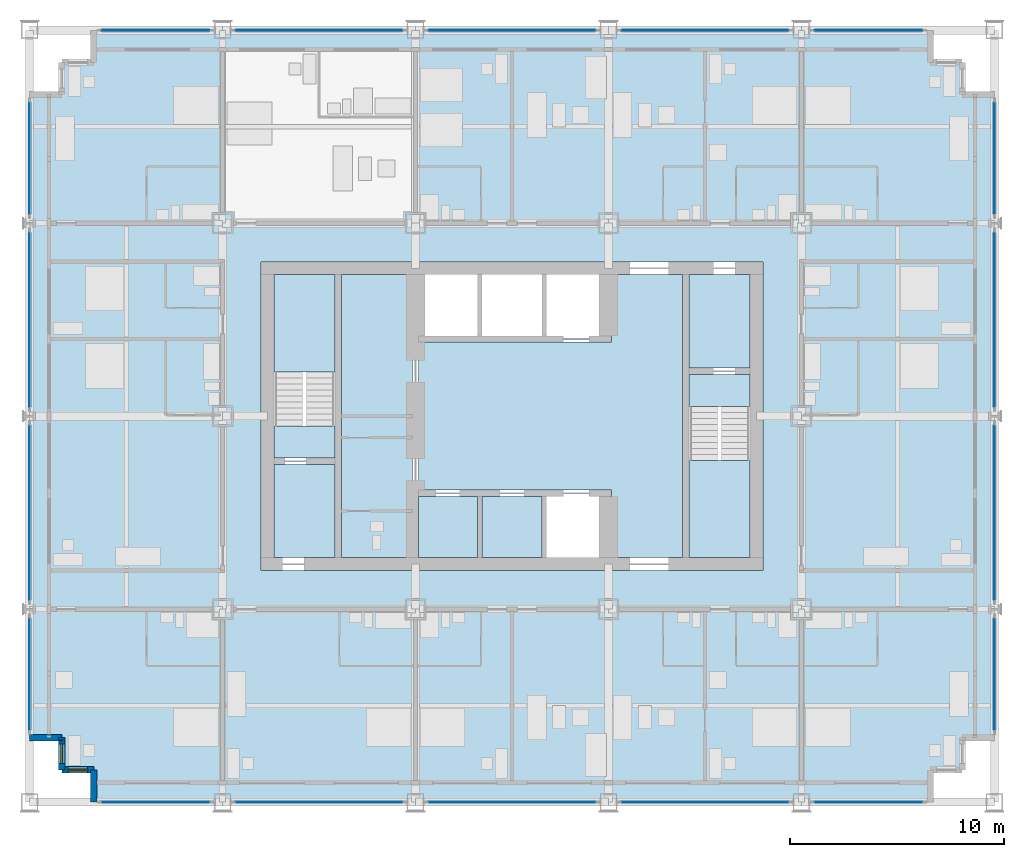
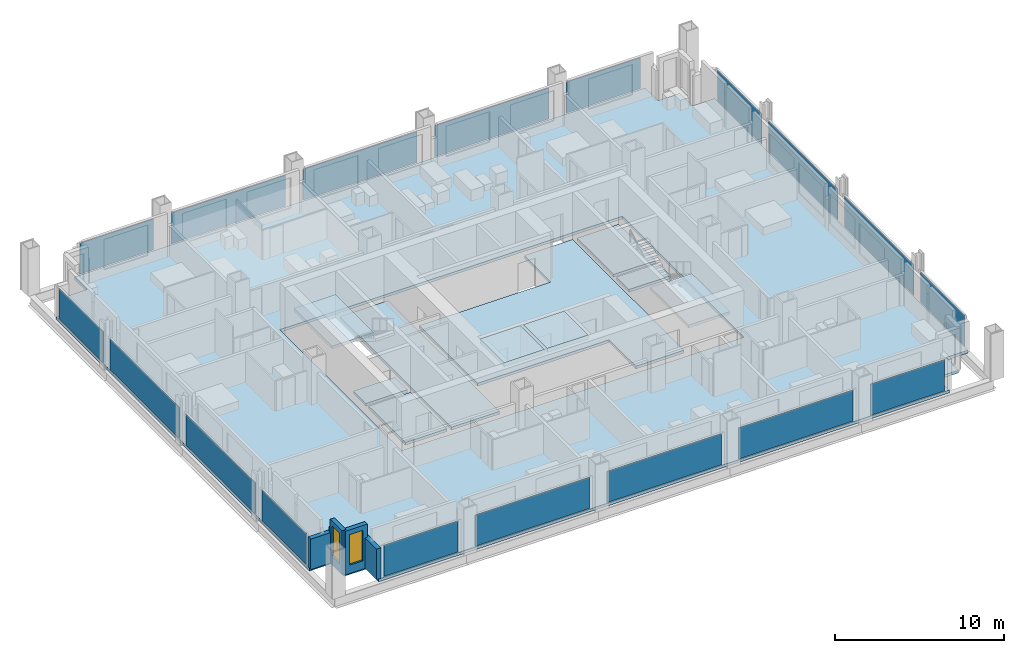
# One storey, part 8 of 17: 18 plates, 11 slabs, 5 walls, 2 windows, 2 openings, 20 elements without a shape of their own.
"""IFC4 building model written with IfcOpenShell, lengths in metres."""

from ifc_helpers import new_model, si_unit, direction, frame, frame_2d, origin, origin_2d, place, context, subcontext, project, spatial, polyline, rectangle, outline, extrude, material, layer, layer_set, type_object, element, fill, aggregate, save


model = new_model("IFC4")

# Units and contexts
model_context = context("Model", 3, precision=1e-05, world=origin(), true_north=direction((0.0, 1.0)))
body_context = subcontext(model_context, "Body", "Model", "MODEL_VIEW")
ifc_project = project(units=[si_unit("LENGTHUNIT", "METRE"), si_unit("AREAUNIT", "SQUARE_METRE"), si_unit("VOLUMEUNIT", "CUBIC_METRE"), si_unit("PLANEANGLEUNIT", "RADIAN"), si_unit("MASSUNIT", "GRAM", prefix="KILO")], contexts=[model_context])

# Site, building, storey
site_placement = place(None, origin())
site = spatial("IfcSite", under=ifc_project, at=site_placement, CompositionType="ELEMENT")
building_placement = place(site_placement, origin())
building = spatial("IfcBuilding", under=site, at=building_placement, Name="Loomwork Tower", CompositionType="ELEMENT")
storey_placement = place(building_placement, frame((0.0, 0.0, 152.0)))
storey = spatial("IfcBuildingStorey", under=building, at=storey_placement, Name="L41", CompositionType="ELEMENT", Elevation=152.0)

# Slabs
ifc_material_1 = material(Name="Concrete 5000 psi (34 MPa) on composite metal deck", Category="concrete")
ifc_layer_1 = layer(ifc_material_1, 0.199951171875)
ifc_layer_set_1 = layer_set([ifc_layer_1], Name="Floor slab 200")
slab_type_1 = type_object("IfcSlabType", Name="Floor slab 200", PredefinedType="FLOOR", material=ifc_layer_set_1)
slab_1_placement = place(storey_placement, frame((0.0, 0.0, -0.199951171875)))
element("IfcSlab", 1, at=slab_1_placement, inside=storey, type_object=slab_type_1, Name="Floor slab L41", PredefinedType="FLOOR", context=body_context, shape_type="SweptSolid", body=[
    extrude(outline(polyline([(3.0, 1.5), (1.5, 1.5), (1.5, 3.0), (0.0, 3.0), (0.0, 33.0), (1.5, 33.0), (1.5, 34.5), (3.0, 34.5), (3.0, 36.0), (42.0, 36.0), (42.0, 34.5), (43.5, 34.5), (43.5, 33.0), (45.0, 33.0), (45.0, 3.0), (43.5, 3.0), (43.5, 1.5), (42.0, 1.5), (42.0, 0.0), (3.0, 0.0), (3.0, 1.5)]), holes=[polyline([(10.800048828125, 11.39990234375), (10.800048828125, 11.39990234375), (10.800048828125, 10.800048828125), (34.199951171875, 10.800048828125), (34.199951171875, 11.39990234375), (34.199951171875, 11.39990234375), (34.199951171875, 24.60009765625), (34.199951171875, 25.199951171875), (10.800048828125, 25.199951171875), (10.800048828125, 24.60009765625), (10.800048828125, 11.39990234375)])]), origin(), (0.0, 0.0, 1.0), 0.199951171875),
])
slab_2_placement = place(storey_placement, frame((0.0, 0.0, -0.199951171875)))
element("IfcSlab", 2, at=slab_2_placement, inside=storey, type_object=slab_type_1, Name="Floor slab L41", PredefinedType="FLOOR", context=body_context, shape_type="SweptSolid", body=[
    extrude(outline(polyline([(30.449951171875, 24.60009765625), (30.449951171875, 11.39990234375), (27.14990234375, 11.39990234375), (27.14990234375, 14.25), (27.14990234375, 14.550048828125), (18.14990234375, 14.550048828125), (18.14990234375, 21.449951171875), (27.14990234375, 21.449951171875), (27.14990234375, 21.75), (27.14990234375, 24.60009765625), (30.449951171875, 24.60009765625)])), origin(), (0.0, 0.0, 1.0), 0.199951171875),
])
slab_3_placement = place(storey_placement, frame((0.0, 0.0, -0.199951171875)))
element("IfcSlab", 3, at=slab_3_placement, inside=storey, type_object=slab_type_1, Name="Floor slab L41", PredefinedType="FLOOR", context=body_context, shape_type="SweptSolid", body=[
    extrude(outline(polyline([(14.550048828125, 11.39990234375), (14.550048828125, 24.60009765625), (17.85009765625, 24.60009765625), (17.85009765625, 11.39990234375), (14.550048828125, 11.39990234375)])), origin(), (0.0, 0.0, 1.0), 0.199951171875),
])
slab_4_placement = place(storey_placement, frame((0.0, 0.0, -0.199951171875)))
element("IfcSlab", 4, at=slab_4_placement, inside=storey, type_object=slab_type_1, Name="Floor slab L41", PredefinedType="FLOOR", context=body_context, shape_type="SweptSolid", body=[
    extrude(outline(polyline([(33.60009765625, 20.25), (30.75, 20.25), (30.75, 24.60009765625), (33.60009765625, 24.60009765625), (33.60009765625, 20.25)])), origin(), (0.0, 0.0, 1.0), 0.199951171875),
])
slab_5_placement = place(storey_placement, frame((0.0, 0.0, -0.199951171875)))
element("IfcSlab", 5, at=slab_5_placement, inside=storey, type_object=slab_type_1, Name="Floor slab L41", PredefinedType="FLOOR", context=body_context, shape_type="SweptSolid", body=[
    extrude(outline(polyline([(14.25, 15.75), (14.25, 11.39990234375), (11.39990234375, 11.39990234375), (11.39990234375, 15.75), (14.25, 15.75)])), origin(), (0.0, 0.0, 1.0), 0.199951171875),
])
ifc_material_2 = material(Name="Concrete 5000 psi (34 MPa) on composite metal deck", Category="concrete")
ifc_layer_2 = layer(ifc_material_2, 0.300048828125)
ifc_layer_set_2 = layer_set([ifc_layer_2], Name="Lift separation slab 300")
slab_type_2 = type_object("IfcSlabType", Name="Lift separation slab 300", PredefinedType="FLOOR", material=ifc_layer_set_2)
slab_6_placement = place(storey_placement, frame((0.0, 0.0, 3.10009765625)))
element("IfcSlab", 6, at=slab_6_placement, inside=storey, type_object=slab_type_2, Name="Lift separation slab under LC1 L41", PredefinedType="FLOOR", context=body_context, shape_type="SweptSolid", body=[
    extrude(outline(polyline([(18.14990234375, 11.39990234375), (20.89990234375, 11.39990234375), (20.89990234375, 14.25), (18.14990234375, 14.25), (18.14990234375, 11.39990234375)])), origin(), (0.0, 0.0, 1.0), 0.2998046875),
])
slab_7_placement = place(storey_placement, frame((0.0, 0.0, 3.10009765625)))
element("IfcSlab", 7, at=slab_7_placement, inside=storey, type_object=slab_type_2, Name="Lift separation slab over LB2 L41", PredefinedType="FLOOR", context=body_context, shape_type="SweptSolid", body=[
    extrude(outline(polyline([(21.10009765625, 11.39990234375), (23.89990234375, 11.39990234375), (23.89990234375, 14.25), (21.10009765625, 14.25), (21.10009765625, 11.39990234375)])), origin(), (0.0, 0.0, 1.0), 0.2998046875),
])

# Curtain wall, plate
ifc_material_3 = material(Name="Aluminium curtain wall frame", Category="aluminium")
curtain_wall_type = type_object("IfcCurtainWallType", Name="Outer skin glazing hotel", PredefinedType="NOTDEFINED", material=ifc_material_3)
curtain_wall_1_placement = place(storey_placement, origin())
curtain_wall_1 = element("IfcCurtainWall", 8, at=curtain_wall_1_placement, inside=storey, type_object=curtain_wall_type, Name="Outer skin glazing hotel cw/S-0", PredefinedType="NOTDEFINED")
ifc_material_4 = material(Name="Clear laminated glass", Category="glass")
ifc_layer_3 = layer(ifc_material_4, 0.02392578125)
ifc_layer_set_3 = layer_set([ifc_layer_3], Name="Outer skin glazing hotel panel")
plate_type = type_object("IfcPlateType", Name="Outer skin glazing hotel panel", PredefinedType="CURTAIN_PANEL", material=ifc_layer_set_3)
plate_1_placement = place(storey_placement, frame((5.875, 0.0, 0.06494140625), z_axis=(0.0, 0.0, 1.0), x_axis=(1.0, 0.0, 0.0)))
plate_1 = element("IfcPlate", 9, at=plate_1_placement, type_object=plate_type, Name="CW1 panel 1.1", PredefinedType="CURTAIN_PANEL", context=body_context, shape_type="SweptSolid", body=[
    extrude(rectangle(XDim=5.050048828125, YDim=0.02392578125, at=origin_2d()), origin(), (0.0, 0.0, 1.0), 2.240234375),
])
aggregate(curtain_wall_1, [plate_1])

curtain_wall_2_placement = place(storey_placement, origin())
curtain_wall_2 = element("IfcCurtainWall", 10, at=curtain_wall_2_placement, inside=storey, type_object=curtain_wall_type, Name="Outer skin glazing hotel cw/S-9", PredefinedType="NOTDEFINED")
plate_2_placement = place(storey_placement, frame((13.5, 0.0, 0.06494140625), z_axis=(0.0, 0.0, 1.0), x_axis=(1.0, 0.0, 0.0)))
plate_2 = element("IfcPlate", 11, at=plate_2_placement, type_object=plate_type, Name="CW1 panel 1.1", PredefinedType="CURTAIN_PANEL", context=body_context, shape_type="SweptSolid", body=[
    extrude(rectangle(XDim=7.800048828125, YDim=0.02392578125, at=origin_2d()), origin(), (0.0, 0.0, 1.0), 2.240234375),
])
aggregate(curtain_wall_2, [plate_2])

curtain_wall_3_placement = place(storey_placement, origin())
curtain_wall_3 = element("IfcCurtainWall", 12, at=curtain_wall_3_placement, inside=storey, type_object=curtain_wall_type, Name="Outer skin glazing hotel cw/S-18", PredefinedType="NOTDEFINED")
plate_3_placement = place(storey_placement, frame((22.5, 0.0, 0.06494140625), z_axis=(0.0, 0.0, 1.0), x_axis=(1.0, 0.0, 0.0)))
plate_3 = element("IfcPlate", 13, at=plate_3_placement, type_object=plate_type, Name="CW1 panel 1.1", PredefinedType="CURTAIN_PANEL", context=body_context, shape_type="SweptSolid", body=[
    extrude(rectangle(XDim=7.800048828125, YDim=0.02392578125, at=origin_2d()), origin(), (0.0, 0.0, 1.0), 2.240234375),
])
aggregate(curtain_wall_3, [plate_3])

curtain_wall_4_placement = place(storey_placement, origin())
curtain_wall_4 = element("IfcCurtainWall", 14, at=curtain_wall_4_placement, inside=storey, type_object=curtain_wall_type, Name="Outer skin glazing hotel cw/S-27", PredefinedType="NOTDEFINED")
plate_4_placement = place(storey_placement, frame((31.5, 0.0, 0.06494140625), z_axis=(0.0, 0.0, 1.0), x_axis=(1.0, 0.0, 0.0)))
plate_4 = element("IfcPlate", 15, at=plate_4_placement, type_object=plate_type, Name="CW1 panel 1.1", PredefinedType="CURTAIN_PANEL", context=body_context, shape_type="SweptSolid", body=[
    extrude(rectangle(XDim=7.800048828125, YDim=0.02392578125, at=origin_2d()), origin(), (0.0, 0.0, 1.0), 2.240234375),
])
aggregate(curtain_wall_4, [plate_4])

curtain_wall_5_placement = place(storey_placement, origin())
curtain_wall_5 = element("IfcCurtainWall", 16, at=curtain_wall_5_placement, inside=storey, type_object=curtain_wall_type, Name="Outer skin glazing hotel cw/S-36", PredefinedType="NOTDEFINED")
plate_5_placement = place(storey_placement, frame((39.125, 0.0, 0.06494140625), z_axis=(0.0, 0.0, 1.0), x_axis=(1.0, 0.0, 0.0)))
plate_5 = element("IfcPlate", 17, at=plate_5_placement, type_object=plate_type, Name="CW1 panel 1.1", PredefinedType="CURTAIN_PANEL", context=body_context, shape_type="SweptSolid", body=[
    extrude(rectangle(XDim=5.050048828125, YDim=0.02392578125, at=origin_2d()), origin(), (0.0, 0.0, 1.0), 2.240234375),
])
aggregate(curtain_wall_5, [plate_5])

curtain_wall_6_placement = place(storey_placement, origin())
curtain_wall_6 = element("IfcCurtainWall", 18, at=curtain_wall_6_placement, inside=storey, type_object=curtain_wall_type, Name="Outer skin glazing hotel cw/N-0", PredefinedType="NOTDEFINED")
plate_6_placement = place(storey_placement, frame((5.875, 36.0, 0.06494140625), z_axis=(0.0, 0.0, 1.0), x_axis=(-1.0, 0.0, 0.0)))
plate_6 = element("IfcPlate", 19, at=plate_6_placement, type_object=plate_type, Name="CW1 panel 1.1", PredefinedType="CURTAIN_PANEL", context=body_context, shape_type="SweptSolid", body=[
    extrude(rectangle(XDim=5.050048828125, YDim=0.02392578125, at=origin_2d()), origin(), (0.0, 0.0, 1.0), 2.240234375),
])
aggregate(curtain_wall_6, [plate_6])

curtain_wall_7_placement = place(storey_placement, origin())
curtain_wall_7 = element("IfcCurtainWall", 20, at=curtain_wall_7_placement, inside=storey, type_object=curtain_wall_type, Name="Outer skin glazing hotel cw/N-9", PredefinedType="NOTDEFINED")
plate_7_placement = place(storey_placement, frame((13.5, 36.0, 0.06494140625), z_axis=(0.0, 0.0, 1.0), x_axis=(-1.0, 0.0, 0.0)))
plate_7 = element("IfcPlate", 21, at=plate_7_placement, type_object=plate_type, Name="CW1 panel 1.1", PredefinedType="CURTAIN_PANEL", context=body_context, shape_type="SweptSolid", body=[
    extrude(rectangle(XDim=7.800048828125, YDim=0.02392578125, at=origin_2d()), origin(), (0.0, 0.0, 1.0), 2.240234375),
])
aggregate(curtain_wall_7, [plate_7])

curtain_wall_8_placement = place(storey_placement, origin())
curtain_wall_8 = element("IfcCurtainWall", 22, at=curtain_wall_8_placement, inside=storey, type_object=curtain_wall_type, Name="Outer skin glazing hotel cw/N-18", PredefinedType="NOTDEFINED")
plate_8_placement = place(storey_placement, frame((22.5, 36.0, 0.06494140625), z_axis=(0.0, 0.0, 1.0), x_axis=(-1.0, 0.0, 0.0)))
plate_8 = element("IfcPlate", 23, at=plate_8_placement, type_object=plate_type, Name="CW1 panel 1.1", PredefinedType="CURTAIN_PANEL", context=body_context, shape_type="SweptSolid", body=[
    extrude(rectangle(XDim=7.800048828125, YDim=0.02392578125, at=origin_2d()), origin(), (0.0, 0.0, 1.0), 2.240234375),
])
aggregate(curtain_wall_8, [plate_8])

curtain_wall_9_placement = place(storey_placement, origin())
curtain_wall_9 = element("IfcCurtainWall", 24, at=curtain_wall_9_placement, inside=storey, type_object=curtain_wall_type, Name="Outer skin glazing hotel cw/N-27", PredefinedType="NOTDEFINED")
plate_9_placement = place(storey_placement, frame((31.5, 36.0, 0.06494140625), z_axis=(0.0, 0.0, 1.0), x_axis=(-1.0, 0.0, 0.0)))
plate_9 = element("IfcPlate", 25, at=plate_9_placement, type_object=plate_type, Name="CW1 panel 1.1", PredefinedType="CURTAIN_PANEL", context=body_context, shape_type="SweptSolid", body=[
    extrude(rectangle(XDim=7.800048828125, YDim=0.02392578125, at=origin_2d()), origin(), (0.0, 0.0, 1.0), 2.240234375),
])
aggregate(curtain_wall_9, [plate_9])

curtain_wall_10_placement = place(storey_placement, origin())
curtain_wall_10 = element("IfcCurtainWall", 26, at=curtain_wall_10_placement, inside=storey, type_object=curtain_wall_type, Name="Outer skin glazing hotel cw/N-36", PredefinedType="NOTDEFINED")
plate_10_placement = place(storey_placement, frame((39.125, 36.0, 0.06494140625), z_axis=(0.0, 0.0, 1.0), x_axis=(-1.0, 0.0, 0.0)))
plate_10 = element("IfcPlate", 27, at=plate_10_placement, type_object=plate_type, Name="CW1 panel 1.1", PredefinedType="CURTAIN_PANEL", context=body_context, shape_type="SweptSolid", body=[
    extrude(rectangle(XDim=5.050048828125, YDim=0.02392578125, at=origin_2d()), origin(), (0.0, 0.0, 1.0), 2.240234375),
])
aggregate(curtain_wall_10, [plate_10])

curtain_wall_11_placement = place(storey_placement, origin())
curtain_wall_11 = element("IfcCurtainWall", 28, at=curtain_wall_11_placement, inside=storey, type_object=curtain_wall_type, Name="Outer skin glazing hotel cw/W-0", PredefinedType="NOTDEFINED")
plate_11_placement = place(storey_placement, frame((0.0, 5.964599609375, 0.06494140625), z_axis=(0.0, 0.0, 1.0), x_axis=(0.0, -1.0, 0.0)))
plate_11 = element("IfcPlate", 29, at=plate_11_placement, type_object=plate_type, Name="CW1 panel 1.1", PredefinedType="CURTAIN_PANEL", context=body_context, shape_type="SweptSolid", body=[
    extrude(rectangle(XDim=5.22900390625, YDim=0.02392578125, at=origin_2d()), origin(), (0.0, 0.0, 1.0), 2.240234375),
])
aggregate(curtain_wall_11, [plate_11])

curtain_wall_12_placement = place(storey_placement, origin())
curtain_wall_12 = element("IfcCurtainWall", 30, at=curtain_wall_12_placement, inside=storey, type_object=curtain_wall_type, Name="Outer skin glazing hotel cw/W-9", PredefinedType="NOTDEFINED")
plate_12_placement = place(storey_placement, frame((0.0, 13.5, 0.06494140625), z_axis=(0.0, 0.0, 1.0), x_axis=(0.0, -1.0, 0.0)))
plate_12 = element("IfcPlate", 31, at=plate_12_placement, type_object=plate_type, Name="CW1 panel 1.1", PredefinedType="CURTAIN_PANEL", context=body_context, shape_type="SweptSolid", body=[
    extrude(rectangle(XDim=8.157958984375, YDim=0.02392578125, at=origin_2d()), origin(), (0.0, 0.0, 1.0), 2.240234375),
])
aggregate(curtain_wall_12, [plate_12])

curtain_wall_13_placement = place(storey_placement, origin())
curtain_wall_13 = element("IfcCurtainWall", 32, at=curtain_wall_13_placement, inside=storey, type_object=curtain_wall_type, Name="Outer skin glazing hotel cw/W-18", PredefinedType="NOTDEFINED")
plate_13_placement = place(storey_placement, frame((0.0, 22.5, 0.06494140625), z_axis=(0.0, 0.0, 1.0), x_axis=(0.0, -1.0, 0.0)))
plate_13 = element("IfcPlate", 33, at=plate_13_placement, type_object=plate_type, Name="CW1 panel 1.1", PredefinedType="CURTAIN_PANEL", context=body_context, shape_type="SweptSolid", body=[
    extrude(rectangle(XDim=8.157958984375, YDim=0.02392578125, at=origin_2d()), origin(), (0.0, 0.0, 1.0), 2.240234375),
])
aggregate(curtain_wall_13, [plate_13])

curtain_wall_14_placement = place(storey_placement, origin())
curtain_wall_14 = element("IfcCurtainWall", 34, at=curtain_wall_14_placement, inside=storey, type_object=curtain_wall_type, Name="Outer skin glazing hotel cw/W-27", PredefinedType="NOTDEFINED")
plate_14_placement = place(storey_placement, frame((0.0, 30.035400390625, 0.06494140625), z_axis=(0.0, 0.0, 1.0), x_axis=(0.0, -1.0, 0.0)))
plate_14 = element("IfcPlate", 35, at=plate_14_placement, type_object=plate_type, Name="CW1 panel 1.1", PredefinedType="CURTAIN_PANEL", context=body_context, shape_type="SweptSolid", body=[
    extrude(rectangle(XDim=5.22900390625, YDim=0.02392578125, at=origin_2d()), origin(), (0.0, 0.0, 1.0), 2.240234375),
])
aggregate(curtain_wall_14, [plate_14])

curtain_wall_15_placement = place(storey_placement, origin())
curtain_wall_15 = element("IfcCurtainWall", 36, at=curtain_wall_15_placement, inside=storey, type_object=curtain_wall_type, Name="Outer skin glazing hotel cw/E-0", PredefinedType="NOTDEFINED")
plate_15_placement = place(storey_placement, frame((45.0, 5.964599609375, 0.06494140625), z_axis=(0.0, 0.0, 1.0), x_axis=(0.0, 1.0, 0.0)))
plate_15 = element("IfcPlate", 37, at=plate_15_placement, type_object=plate_type, Name="CW1 panel 1.1", PredefinedType="CURTAIN_PANEL", context=body_context, shape_type="SweptSolid", body=[
    extrude(rectangle(XDim=5.22900390625, YDim=0.02392578125, at=origin_2d()), origin(), (0.0, 0.0, 1.0), 2.240234375),
])
aggregate(curtain_wall_15, [plate_15])

curtain_wall_16_placement = place(storey_placement, origin())
curtain_wall_16 = element("IfcCurtainWall", 38, at=curtain_wall_16_placement, inside=storey, type_object=curtain_wall_type, Name="Outer skin glazing hotel cw/E-9", PredefinedType="NOTDEFINED")
plate_16_placement = place(storey_placement, frame((45.0, 13.5, 0.06494140625), z_axis=(0.0, 0.0, 1.0), x_axis=(0.0, 1.0, 0.0)))
plate_16 = element("IfcPlate", 39, at=plate_16_placement, type_object=plate_type, Name="CW1 panel 1.1", PredefinedType="CURTAIN_PANEL", context=body_context, shape_type="SweptSolid", body=[
    extrude(rectangle(XDim=8.157958984375, YDim=0.02392578125, at=origin_2d()), origin(), (0.0, 0.0, 1.0), 2.240234375),
])
aggregate(curtain_wall_16, [plate_16])

curtain_wall_17_placement = place(storey_placement, origin())
curtain_wall_17 = element("IfcCurtainWall", 40, at=curtain_wall_17_placement, inside=storey, type_object=curtain_wall_type, Name="Outer skin glazing hotel cw/E-18", PredefinedType="NOTDEFINED")
plate_17_placement = place(storey_placement, frame((45.0, 22.5, 0.06494140625), z_axis=(0.0, 0.0, 1.0), x_axis=(0.0, 1.0, 0.0)))
plate_17 = element("IfcPlate", 41, at=plate_17_placement, type_object=plate_type, Name="CW1 panel 1.1", PredefinedType="CURTAIN_PANEL", context=body_context, shape_type="SweptSolid", body=[
    extrude(rectangle(XDim=8.157958984375, YDim=0.02392578125, at=origin_2d()), origin(), (0.0, 0.0, 1.0), 2.240234375),
])
aggregate(curtain_wall_17, [plate_17])

curtain_wall_18_placement = place(storey_placement, origin())
curtain_wall_18 = element("IfcCurtainWall", 42, at=curtain_wall_18_placement, inside=storey, type_object=curtain_wall_type, Name="Outer skin glazing hotel cw/E-27", PredefinedType="NOTDEFINED")
plate_18_placement = place(storey_placement, frame((45.0, 30.035400390625, 0.06494140625), z_axis=(0.0, 0.0, 1.0), x_axis=(0.0, 1.0, 0.0)))
plate_18 = element("IfcPlate", 43, at=plate_18_placement, type_object=plate_type, Name="CW1 panel 1.1", PredefinedType="CURTAIN_PANEL", context=body_context, shape_type="SweptSolid", body=[
    extrude(rectangle(XDim=5.22900390625, YDim=0.02392578125, at=origin_2d()), origin(), (0.0, 0.0, 1.0), 2.240234375),
])
aggregate(curtain_wall_18, [plate_18])

# Stair, slabs
ifc_material_5 = material(Name="Concrete 5000 psi (34 MPa) precast stair", Category="concrete")
stair_type_1 = type_object("IfcStairType", Name="Stair ST-A 20 risers 2850 wide", PredefinedType="HALF_TURN_STAIR", material=ifc_material_5)
stair_1_placement = place(storey_placement, origin())
stair_1 = element("IfcStair", 44, at=stair_1_placement, inside=storey, type_object=stair_type_1, Name="Stair A L41", PredefinedType="HALF_TURN_STAIR")
ifc_material_6 = material(Name="Concrete 5000 psi (34 MPa)", Category="concrete")
ifc_layer_4 = layer(ifc_material_6, 0.199951171875)
ifc_layer_set_4 = layer_set([ifc_layer_4], Name="Stair landing 200")
slab_type_3 = type_object("IfcSlabType", Name="Stair landing 200", PredefinedType="LANDING", material=ifc_layer_set_4)
slab_8_placement = place(storey_placement, frame((0.0, 0.0, -0.199951171875)))
slab_8 = element("IfcSlab", 45, at=slab_8_placement, type_object=slab_type_3, Name="ST-A landing 1", PredefinedType="LANDING", context=body_context, shape_type="SweptSolid", body=[
    extrude(outline(polyline([(11.39990234375, 16.050048828125), (14.25, 16.050048828125), (14.25, 17.550048828125), (11.39990234375, 17.550048828125), (11.39990234375, 16.050048828125)])), origin(), (0.0, 0.0, 1.0), 0.199951171875),
])
slab_9_placement = place(storey_placement, frame((0.0, 0.0, 1.5)))
slab_9 = element("IfcSlab", 46, at=slab_9_placement, type_object=slab_type_3, Name="ST-A landing 2", PredefinedType="LANDING", context=body_context, shape_type="SweptSolid", body=[
    extrude(outline(polyline([(11.39990234375, 20.070068359375), (14.25, 20.070068359375), (14.25, 24.60009765625), (11.39990234375, 24.60009765625), (11.39990234375, 20.070068359375)])), origin(), (0.0, 0.0, 1.0), 0.199951171875),
])
aggregate(stair_1, [slab_8, slab_9])

ifc_material_7 = material(Name="Concrete 5000 psi (34 MPa) precast stair", Category="concrete")
stair_type_2 = type_object("IfcStairType", Name="Stair ST-B 20 risers 2850 wide", PredefinedType="HALF_TURN_STAIR", material=ifc_material_7)
stair_2_placement = place(storey_placement, origin())
stair_2 = element("IfcStair", 47, at=stair_2_placement, inside=storey, type_object=stair_type_2, Name="Stair B L41", PredefinedType="HALF_TURN_STAIR")
slab_10_placement = place(storey_placement, frame((0.0, 0.0, -0.199951171875)))
slab_10 = element("IfcSlab", 48, at=slab_10_placement, type_object=slab_type_3, Name="ST-B landing 1", PredefinedType="LANDING", context=body_context, shape_type="SweptSolid", body=[
    extrude(outline(polyline([(30.75, 18.449951171875), (33.60009765625, 18.449951171875), (33.60009765625, 19.949951171875), (30.75, 19.949951171875), (30.75, 18.449951171875)])), origin(), (0.0, 0.0, 1.0), 0.199951171875),
])
slab_11_placement = place(storey_placement, frame((0.0, 0.0, 1.5)))
slab_11 = element("IfcSlab", 49, at=slab_11_placement, type_object=slab_type_3, Name="ST-B landing 2", PredefinedType="LANDING", context=body_context, shape_type="SweptSolid", body=[
    extrude(outline(polyline([(30.75, 11.39990234375), (33.60009765625, 11.39990234375), (33.60009765625, 15.929931640625), (30.75, 15.929931640625), (30.75, 11.39990234375)])), origin(), (0.0, 0.0, 1.0), 0.199951171875),
])
aggregate(stair_2, [slab_10, slab_11])

# Walls
ifc_material_8 = material(Name="Limestone on concrete masonry", Category="masonry")
ifc_layer_5 = layer(ifc_material_8, 0.300048828125)
ifc_layer_set_5 = layer_set([ifc_layer_5], Name="Limestone corner wall 300")
wall_type = type_object("IfcWallType", Name="Limestone corner wall 300", PredefinedType="SOLIDWALL", material=ifc_layer_set_5)
wall_1_placement = place(storey_placement, frame((0.0, 3.0, 0.0), z_axis=(0.0, 0.0, 1.0), x_axis=(1.0, 0.0, 0.0)))
element("IfcWall", 50, at=wall_1_placement, inside=storey, type_object=wall_type, Name="Stone corner wall SW 1", PredefinedType="SOLIDWALL", context=body_context, shape_type="SweptSolid", body=[
    extrude(rectangle(XDim=1.5, YDim=0.300048828125, at=frame_2d((0.75, 0.0))), origin(), (0.0, 0.0, 1.0), 2.201904296875),
])
wall_2_placement = place(storey_placement, frame((1.5, 3.0, 0.0), z_axis=(0.0, 0.0, 1.0), x_axis=(0.0, -1.0, 0.0)))
element("IfcWall", 51, at=wall_2_placement, inside=storey, type_object=wall_type, Name="Stone corner wall SW 2", PredefinedType="SOLIDWALL", context=body_context, shape_type="SweptSolid", body=[
    extrude(rectangle(XDim=0.1162109375, YDim=0.300048828125, at=frame_2d((0.05810546875, 0.0))), origin(), (0.0, 0.0, 1.0), 2.5419921875),
])

# Wall, opening, window
wall_3_placement = place(storey_placement, frame((1.5, 1.5, 0.0), z_axis=(0.0, 0.0, 1.0), x_axis=(1.0, 0.0, 0.0)))
wall_3 = element("IfcWall", 52, at=wall_3_placement, inside=storey, type_object=wall_type, Name="Stone corner wall SW 3", PredefinedType="SOLIDWALL", context=body_context, shape_type="SweptSolid", body=[
    extrude(rectangle(XDim=1.5, YDim=0.300048828125, at=frame_2d((0.75, 0.0))), origin(), (0.0, 0.0, 1.0), 3.14990234375),
])
opening_1_placement = place(wall_3_placement, frame((0.300048828125, 0.0, 0.60009765625)))
opening_1 = element("IfcOpeningElement", 53, at=opening_1_placement, cuts=wall_3, Name="Opening CH2", PredefinedType="OPENING", context=body_context, shape_type="SweptSolid", body=[
    extrude(rectangle(XDim=0.89990234375, YDim=2.199951171875, at=frame_2d((0.449951171875, 1.10009765625))), frame((0.0, 0.159912109375, 0.0), z_axis=(0.0, -1.0, 0.0), x_axis=(1.0, 0.0, 0.0)), (0.0, 0.0, 1.0), 0.320068359375),
])
ifc_material_9 = material(Name="Aluminium frame with clear insulated glass", Category="aluminium")
window_type = type_object("IfcWindowType", Name="Corner window 900", PartitioningType="SINGLE_PANEL", PredefinedType="WINDOW", material=ifc_material_9)
window_1_placement = place(opening_1_placement, origin())
window_1 = element("IfcWindow", 54, at=window_1_placement, inside=storey, type_object=window_type, Name="Corner window SW", OverallHeight=2.199951171875, OverallWidth=0.89990234375, PartitioningType="SINGLE_PANEL", PredefinedType="WINDOW", context=body_context, shape_type="SweptSolid", body=[
    extrude(rectangle(XDim=0.89990234375, YDim=2.199951171875, at=frame_2d((0.449951171875, 1.10009765625))), frame((0.0, 0.030029296875, 0.0), z_axis=(0.0, -1.0, 0.0), x_axis=(1.0, 0.0, 0.0)), (0.0, 0.0, 1.0), 0.06005859375),
])
fill(opening_1, window_1)

# Wall
wall_4_placement = place(storey_placement, frame((3.0, 1.5, 0.0), z_axis=(0.0, 0.0, 1.0), x_axis=(0.0, -1.0, 0.0)))
element("IfcWall", 55, at=wall_4_placement, inside=storey, type_object=wall_type, Name="Stone corner wall SW 4", PredefinedType="SOLIDWALL", context=body_context, shape_type="SweptSolid", body=[
    extrude(rectangle(XDim=1.5, YDim=0.300048828125, at=frame_2d((0.75, 0.0))), origin(), (0.0, 0.0, 1.0), 2.201904296875),
])

# Wall, opening, window
wall_5_placement = place(storey_placement, frame((1.5, 2.8837890625, 0.0), z_axis=(0.0, 0.0, 1.0), x_axis=(0.0, -1.0, 0.0)))
wall_5 = element("IfcWall", 56, at=wall_5_placement, inside=storey, type_object=wall_type, Name="Stone corner wall SW 2 bay 2", PredefinedType="SOLIDWALL", context=body_context, shape_type="SweptSolid", body=[
    extrude(rectangle(XDim=1.3837890625, YDim=0.300048828125, at=frame_2d((0.69189453125, 0.0))), origin(), (0.0, 0.0, 1.0), 3.14990234375),
])
opening_2_placement = place(wall_5_placement, frame((0.183837890625, 0.0, 0.60009765625)))
opening_2 = element("IfcOpeningElement", 57, at=opening_2_placement, cuts=wall_5, Name="Opening CH2", PredefinedType="OPENING", context=body_context, shape_type="SweptSolid", body=[
    extrude(rectangle(XDim=0.89990234375, YDim=2.199951171875, at=frame_2d((0.449951171875, 1.10009765625))), frame((0.0, 0.159912109375, 0.0), z_axis=(0.0, -1.0, 0.0), x_axis=(1.0, 0.0, 0.0)), (0.0, 0.0, 1.0), 0.320068359375),
])
window_2_placement = place(opening_2_placement, origin())
window_2 = element("IfcWindow", 58, at=window_2_placement, inside=storey, type_object=window_type, Name="Corner window SW", OverallHeight=2.199951171875, OverallWidth=0.89990234375, PartitioningType="SINGLE_PANEL", PredefinedType="WINDOW", context=body_context, shape_type="SweptSolid", body=[
    extrude(rectangle(XDim=0.89990234375, YDim=2.199951171875, at=frame_2d((0.449951171875, 1.10009765625))), frame((0.0, 0.030029296875, 0.0), z_axis=(0.0, -1.0, 0.0), x_axis=(1.0, 0.0, 0.0)), (0.0, 0.0, 1.0), 0.06005859375),
])
fill(opening_2, window_2)

save(model, "model.ifc")
